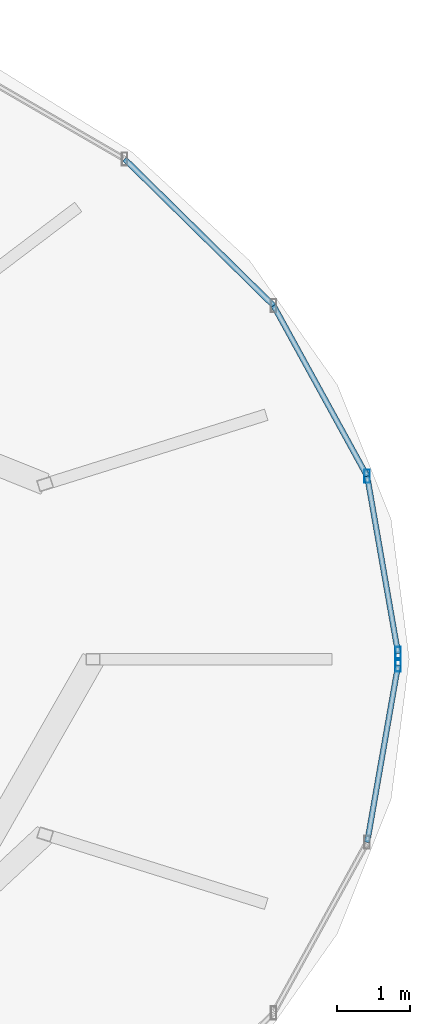
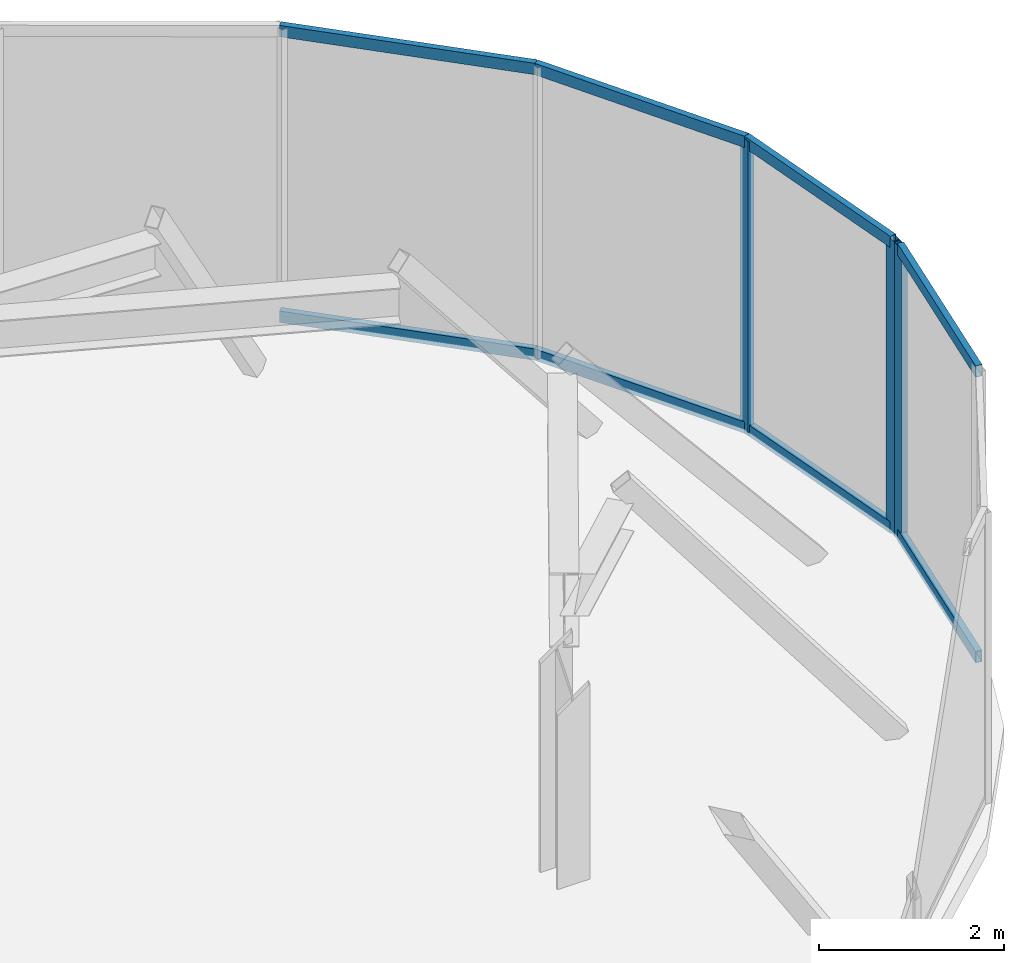
# One storey, part 7 of 10: 11 members, 2 elements without a shape of their own.
"""IFC4 building model written with IfcOpenShell, lengths in metres."""

from ifc_helpers import new_model, si_unit, direction, frame, origin, origin_2d, place, context, subcontext, project, spatial, hollow_rectangle, extrude, material, material_profile, profile_set, type_object, element, aggregate, save


model = new_model("IFC4")

# Units and contexts
model_context = context("Model", 3, precision=1e-05, world=origin(), true_north=direction((0.0, 1.0)))
body_context = subcontext(model_context, "Body", "Model", "MODEL_VIEW")
ifc_project = project(units=[si_unit("LENGTHUNIT", "METRE"), si_unit("AREAUNIT", "SQUARE_METRE"), si_unit("VOLUMEUNIT", "CUBIC_METRE"), si_unit("PLANEANGLEUNIT", "RADIAN"), si_unit("MASSUNIT", "GRAM", prefix="KILO")], contexts=[model_context])

# Site, building, storey
site_placement = place(None, origin())
site = spatial("IfcSite", under=ifc_project, at=site_placement, CompositionType="ELEMENT")
building_placement = place(site_placement, origin())
building = spatial("IfcBuilding", under=site, at=building_placement, Name="Vorneva Point Tower", CompositionType="ELEMENT")
storey_placement = place(building_placement, frame((0.0, 0.0, 306.800048828125)))
storey = spatial("IfcBuildingStorey", under=building, at=storey_placement, Name="C04", CompositionType="ELEMENT", Elevation=306.800048828125)

# Curtain wall, members
ifc_material = material(Name="Pale anodised aluminium", Category="aluminium")
curtain_wall_type = type_object("IfcCurtainWallType", Name="CW-CRN-SYS", PredefinedType="NOTDEFINED", material=ifc_material)
curtain_wall_1_placement = place(storey_placement, origin())
curtain_wall_1 = element("IfcCurtainWall", 1, at=curtain_wall_1_placement, inside=storey, type_object=curtain_wall_type, Name="C04 Unitised Curtain Wall CW-C04-Q1", PredefinedType="NOTDEFINED")
ifc_material_profile_1 = material_profile(ifc_material, hollow_rectangle(XDim=0.074951171875, YDim=0.179931640625, WallThickness=0.00390625, at=origin_2d()), Name="AL-MUL 180x75x4")
ifc_profile_set_1 = profile_set([ifc_material_profile_1], Name="Pale anodised aluminium")
member_type_1 = type_object("IfcMemberType", Name="CW-MUL-180", PredefinedType="MULLION", material=ifc_profile_set_1)
member_1_placement = place(storey_placement, frame((50.7822265625, 26.078857421875, -0.0400390625), z_axis=(0.0, 0.0, 1.0), x_axis=(1.0, 0.0, 0.0)))
member_1 = element("IfcMember", 2, at=member_1_placement, type_object=member_type_1, Name="CW-C04-Q1 Mullion 01", PredefinedType="MULLION", context=body_context, shape_type="SweptSolid", body=[
    extrude(hollow_rectangle(XDim=0.074951171875, YDim=0.179931640625, WallThickness=0.00390625, at=origin_2d()), origin(), (0.0, 0.0, 1.0), 3.869873046875),
])
member_2_placement = place(storey_placement, frame((50.360107421875, 28.500244140625, -0.0400390625), z_axis=(0.0, 0.0, 1.0), x_axis=(1.0, 0.0, 0.0)))
member_2 = element("IfcMember", 3, at=member_2_placement, type_object=member_type_1, Name="CW-C04-Q1 Mullion 02", PredefinedType="MULLION", context=body_context, shape_type="SweptSolid", body=[
    extrude(hollow_rectangle(XDim=0.074951171875, YDim=0.179931640625, WallThickness=0.00390625, at=origin_2d()), origin(), (0.0, 0.0, 1.0), 3.869873046875),
])

# Curtain wall, member
curtain_wall_2_placement = place(storey_placement, origin())
curtain_wall_2 = element("IfcCurtainWall", 4, at=curtain_wall_2_placement, inside=storey, type_object=curtain_wall_type, Name="C04 Unitised Curtain Wall CW-C04-Q4", PredefinedType="NOTDEFINED")
member_3_placement = place(storey_placement, frame((50.7822265625, 25.921142578125, -0.0400390625), z_axis=(0.0, 0.0, 1.0), x_axis=(1.0, 0.0, 0.0)))
member_3 = element("IfcMember", 5, at=member_3_placement, type_object=member_type_1, Name="CW-C04-Q4 Mullion 07", PredefinedType="MULLION", context=body_context, shape_type="SweptSolid", body=[
    extrude(hollow_rectangle(XDim=0.074951171875, YDim=0.179931640625, WallThickness=0.00390625, at=origin_2d()), origin(), (0.0, 0.0, 1.0), 3.869873046875),
])

# Member
ifc_material_profile_2 = material_profile(ifc_material, hollow_rectangle(XDim=0.074951171875, YDim=0.14990234375, WallThickness=0.00390625, at=origin_2d()), Name="AL-TRN 150x75x4")
ifc_profile_set_2 = profile_set([ifc_material_profile_2], Name="Pale anodised aluminium")
member_type_2 = type_object("IfcMemberType", Name="CW-TRN-150", PredefinedType="USERDEFINED", material=ifc_profile_set_2)
member_4_placement = place(storey_placement, frame((50.7822265625, 26.078857421875, 0.02001953125), z_axis=(-0.171739386977, 0.985142417603, 0.0), x_axis=(-0.985142417603, -0.171739386977, 0.0)))
member_4 = element("IfcMember", 6, at=member_4_placement, type_object=member_type_2, Name="CW-C04-Q1 Transom 01.1", ObjectType="TRANSOM", PredefinedType="USERDEFINED", context=body_context, shape_type="SweptSolid", body=[
    extrude(hollow_rectangle(XDim=0.074951171875, YDim=0.14990234375, WallThickness=0.00390625, at=origin_2d()), origin(), (0.0, 0.0, 1.0), 2.4580078125),
])

member_5_placement = place(storey_placement, frame((50.7822265625, 26.078857421875, 3.780029296875), z_axis=(-0.171739386977, 0.985142417603, 0.0), x_axis=(-0.985142417603, -0.171739386977, 0.0)))
member_5 = element("IfcMember", 7, at=member_5_placement, type_object=member_type_2, Name="CW-C04-Q1 Transom 01.2", ObjectType="TRANSOM", PredefinedType="USERDEFINED", context=body_context, shape_type="SweptSolid", body=[
    extrude(hollow_rectangle(XDim=0.074951171875, YDim=0.14990234375, WallThickness=0.00390625, at=origin_2d()), origin(), (0.0, 0.0, 1.0), 2.4580078125),
])

member_6_placement = place(storey_placement, frame((50.360107421875, 28.500244140625, 0.02001953125), z_axis=(-0.481026259401, 0.876706186682, 0.0), x_axis=(-0.876706186682, -0.481026259401, 0.0)))
member_6 = element("IfcMember", 8, at=member_6_placement, type_object=member_type_2, Name="CW-C04-Q1 Transom 02.1", ObjectType="TRANSOM", PredefinedType="USERDEFINED", context=body_context, shape_type="SweptSolid", body=[
    extrude(hollow_rectangle(XDim=0.074951171875, YDim=0.14990234375, WallThickness=0.00390625, at=origin_2d()), origin(), (0.0, 0.0, 1.0), 2.657470703125),
])

member_7_placement = place(storey_placement, frame((50.360107421875, 28.500244140625, 3.780029296875), z_axis=(-0.481026259401, 0.876706186682, 0.0), x_axis=(-0.876706186682, -0.481026259401, 0.0)))
member_7 = element("IfcMember", 9, at=member_7_placement, type_object=member_type_2, Name="CW-C04-Q1 Transom 02.2", ObjectType="TRANSOM", PredefinedType="USERDEFINED", context=body_context, shape_type="SweptSolid", body=[
    extrude(hollow_rectangle(XDim=0.074951171875, YDim=0.14990234375, WallThickness=0.00390625, at=origin_2d()), origin(), (0.0, 0.0, 1.0), 2.657470703125),
])

member_8_placement = place(storey_placement, frame((49.081787109375, 30.830078125, 0.02001953125), z_axis=(-0.712859660138, 0.701306712465, 0.0), x_axis=(-0.701306712465, -0.712859660138, 0.0)))
member_8 = element("IfcMember", 10, at=member_8_placement, type_object=member_type_2, Name="CW-C04-Q1 Transom 03.1", ObjectType="TRANSOM", PredefinedType="USERDEFINED", context=body_context, shape_type="SweptSolid", body=[
    extrude(hollow_rectangle(XDim=0.074951171875, YDim=0.14990234375, WallThickness=0.00390625, at=origin_2d()), origin(), (0.0, 0.0, 1.0), 2.852783203125),
])

member_9_placement = place(storey_placement, frame((49.081787109375, 30.830078125, 3.780029296875), z_axis=(-0.712859660138, 0.701306712465, 0.0), x_axis=(-0.701306712465, -0.712859660138, 0.0)))
member_9 = element("IfcMember", 11, at=member_9_placement, type_object=member_type_2, Name="CW-C04-Q1 Transom 03.2", ObjectType="TRANSOM", PredefinedType="USERDEFINED", context=body_context, shape_type="SweptSolid", body=[
    extrude(hollow_rectangle(XDim=0.074951171875, YDim=0.14990234375, WallThickness=0.00390625, at=origin_2d()), origin(), (0.0, 0.0, 1.0), 2.852783203125),
])

aggregate(curtain_wall_1, [member_1, member_2, member_4, member_5, member_6, member_7, member_8, member_9])

member_10_placement = place(storey_placement, frame((50.360107421875, 23.499755859375, 0.02001953125), z_axis=(0.171739386977, 0.985142417603, 0.0), x_axis=(-0.985142417603, 0.171739386977, 0.0)))
member_10 = element("IfcMember", 12, at=member_10_placement, type_object=member_type_2, Name="CW-C04-Q4 Transom 06.1", ObjectType="TRANSOM", PredefinedType="USERDEFINED", context=body_context, shape_type="SweptSolid", body=[
    extrude(hollow_rectangle(XDim=0.074951171875, YDim=0.14990234375, WallThickness=0.00390625, at=origin_2d()), origin(), (0.0, 0.0, 1.0), 2.4580078125),
])

member_11_placement = place(storey_placement, frame((50.360107421875, 23.499755859375, 3.780029296875), z_axis=(0.171739386977, 0.985142417603, 0.0), x_axis=(-0.985142417603, 0.171739386977, 0.0)))
member_11 = element("IfcMember", 13, at=member_11_placement, type_object=member_type_2, Name="CW-C04-Q4 Transom 06.2", ObjectType="TRANSOM", PredefinedType="USERDEFINED", context=body_context, shape_type="SweptSolid", body=[
    extrude(hollow_rectangle(XDim=0.074951171875, YDim=0.14990234375, WallThickness=0.00390625, at=origin_2d()), origin(), (0.0, 0.0, 1.0), 2.4580078125),
])

aggregate(curtain_wall_2, [member_3, member_10, member_11])

save(model, "model.ifc")
